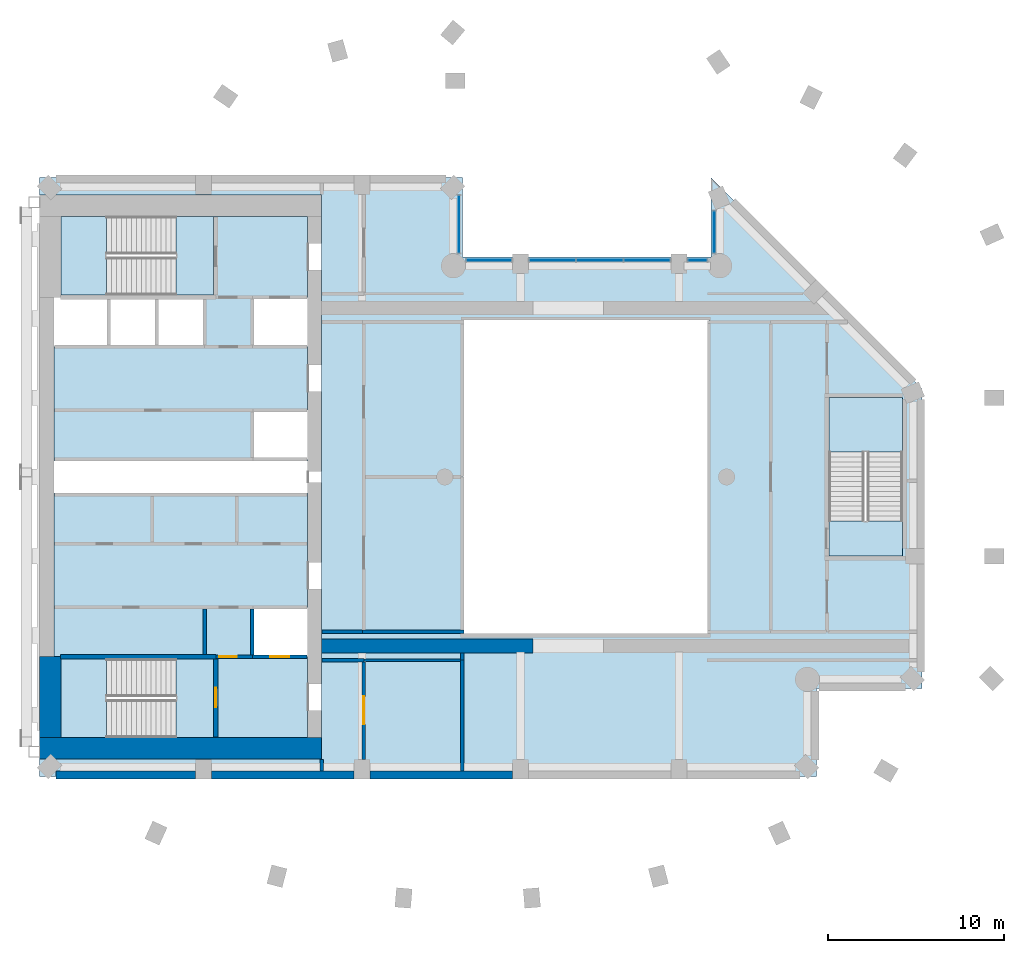
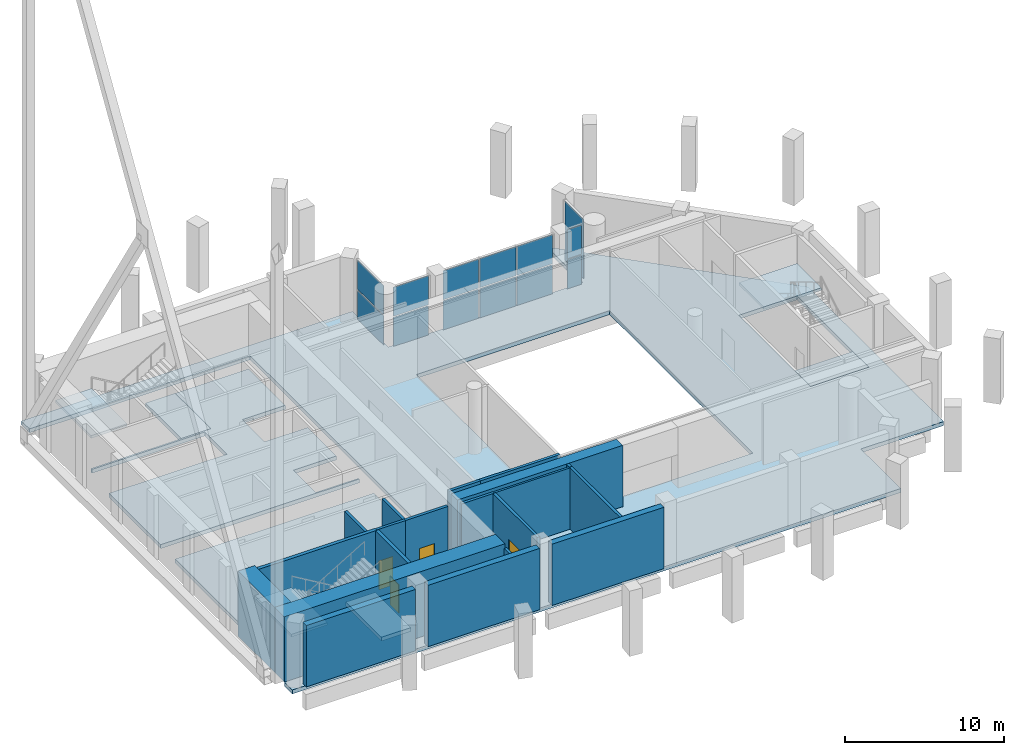
# One storey, part 4 of 12: 20 walls, 14 plates, 9 slabs, 4 doors, 4 openings, 8 elements without a shape of their own.
"""IFC4 building model written with IfcOpenShell, lengths in metres."""

from ifc_helpers import new_model, si_unit, direction, frame, frame_2d, origin, origin_2d, place, context, subcontext, project, spatial, polyline, rectangle, outline, extrude, material, layer, layer_set, type_object, element, fill, aggregate, save


model = new_model("IFC4")

# Units and contexts
model_context = context("Model", 3, precision=1e-05, world=origin(), true_north=direction((0.0, 1.0)))
body_context = subcontext(model_context, "Body", "Model", "MODEL_VIEW")
ifc_project = project(units=[si_unit("LENGTHUNIT", "METRE"), si_unit("AREAUNIT", "SQUARE_METRE"), si_unit("VOLUMEUNIT", "CUBIC_METRE"), si_unit("PLANEANGLEUNIT", "RADIAN"), si_unit("MASSUNIT", "GRAM", prefix="KILO")], contexts=[model_context])

# Site, building, storey
site_placement = place(None, origin())
site = spatial("IfcSite", under=ifc_project, at=site_placement, CompositionType="ELEMENT")
building_placement = place(site_placement, origin())
building = spatial("IfcBuilding", under=site, at=building_placement, Name="Cypress Arch Tower", CompositionType="ELEMENT")
storey_placement = place(building_placement, frame((0.0, 0.0, 238.39990234375)))
storey = spatial("IfcBuildingStorey", under=building, at=storey_placement, Name="L53", CompositionType="ELEMENT", Elevation=238.39990234375)

# Slabs
ifc_material_1 = material(Name="Concrete C40/50", Category="concrete")
ifc_layer_1 = layer(ifc_material_1, 0.300048828125)
ifc_layer_set_1 = layer_set([ifc_layer_1], Name="Core floor CF300")
slab_type_1 = type_object("IfcSlabType", Name="Core floor CF300", PredefinedType="FLOOR", material=ifc_layer_set_1)
slab_1_placement = place(storey_placement, frame((0.0, 0.0, -0.2998046875)))
element("IfcSlab", 1, at=slab_1_placement, inside=storey, type_object=slab_type_1, Name="Core floor", PredefinedType="FLOOR", context=body_context, shape_type="SweptSolid", body=[
    extrude(outline(polyline([(-28.800048828125, -10.199951171875), (-29.199951171875, -10.199951171875), (-29.199951171875, -0.89990234375), (-15.199951171875, -0.89990234375), (-14.800048828125, -0.89990234375), (-14.800048828125, -7.39990234375), (-15.199951171875, -7.39990234375), (-17.919921875, -7.39990234375), (-17.919921875, -10.199951171875), (-15.199951171875, -10.199951171875), (-14.800048828125, -10.199951171875), (-14.800048828125, -14.800048828125), (-15.199951171875, -14.800048828125), (-20.125, -14.800048828125), (-20.125, -10.324951171875), (-22.27490234375, -10.324951171875), (-28.800048828125, -10.324951171875), (-28.800048828125, -10.199951171875)])), origin(), (0.0, 0.0, 1.0), 0.2998046875),
])
slab_2_placement = place(storey_placement, frame((0.0, 0.0, -0.2998046875)))
element("IfcSlab", 2, at=slab_2_placement, inside=storey, type_object=slab_type_1, Name="Core floor", PredefinedType="FLOOR", context=body_context, shape_type="SweptSolid", body=[
    extrude(outline(polyline([(-22.27490234375, -10.324951171875), (-22.27490234375, -14.800048828125), (-20.125, -14.800048828125), (-20.125, -10.324951171875), (-22.27490234375, -10.324951171875)])), origin(), (0.0, 0.0, 1.0), 0.2998046875),
])
slab_3_placement = place(storey_placement, frame((0.0, 0.0, -0.2998046875)))
element("IfcSlab", 3, at=slab_3_placement, inside=storey, type_object=slab_type_1, Name="Core floor", PredefinedType="FLOOR", context=body_context, shape_type="SweptSolid", body=[
    extrude(outline(polyline([(-20.125, 14.800048828125), (-22.27490234375, 14.800048828125), (-22.27490234375, 10.324951171875), (-20.125, 10.324951171875), (-20.125, 14.800048828125)])), origin(), (0.0, 0.0, 1.0), 0.2998046875),
])
slab_4_placement = place(storey_placement, frame((0.0, 0.0, -0.2998046875)))
element("IfcSlab", 4, at=slab_4_placement, inside=storey, type_object=slab_type_1, Name="Stair floor landing", PredefinedType="FLOOR", context=body_context, shape_type="SweptSolid", body=[
    extrude(outline(polyline([(19.0, -4.5), (19.0, -2.5), (14.800048828125, -2.5), (14.800048828125, -4.5), (19.0, -4.5)])), origin(), (0.0, 0.0, 1.0), 0.2998046875),
])
slab_5_placement = place(storey_placement, frame((0.0, 0.0, -0.2998046875)))
element("IfcSlab", 5, at=slab_5_placement, inside=storey, type_object=slab_type_1, Name="Core floor", PredefinedType="FLOOR", context=body_context, shape_type="SweptSolid", body=[
    extrude(outline(polyline([(-20.639892578125, 7.39990234375), (-20.639892578125, 10.199951171875), (-23.360107421875, 10.199951171875), (-26.080078125, 10.199951171875), (-28.800048828125, 10.199951171875), (-28.800048828125, 10.324951171875), (-22.27490234375, 10.324951171875), (-20.125, 10.324951171875), (-20.125, 14.800048828125), (-15.199951171875, 14.800048828125), (-14.800048828125, 14.800048828125), (-14.800048828125, 10.199951171875), (-15.199951171875, 10.199951171875), (-17.919921875, 10.199951171875), (-17.919921875, 7.39990234375), (-15.199951171875, 7.39990234375), (-14.800048828125, 7.39990234375), (-14.800048828125, 3.800048828125), (-15.199951171875, 3.800048828125), (-17.919921875, 3.800048828125), (-17.919921875, 1.5), (-17.919921875, 1.0), (-17.5, 1.0), (-15.199951171875, 1.0), (-14.800048828125, 1.0), (-14.800048828125, 0.89990234375), (-15.199951171875, 0.89990234375), (-17.5, 0.89990234375), (-18.300048828125, 0.89990234375), (-29.199951171875, 0.89990234375), (-29.199951171875, 1.5), (-29.199951171875, 7.39990234375), (-26.080078125, 7.39990234375), (-23.360107421875, 7.39990234375), (-20.639892578125, 7.39990234375)])), origin(), (0.0, 0.0, 1.0), 0.2998046875),
])

# Curtain wall, plates
ifc_material_2 = material(Name="Anodised aluminium, bronze finish, clear laminated double glazing", Category="aluminium")
curtain_wall_type = type_object("IfcCurtainWallType", Name="Curtain wall CW7 slot glazing", PredefinedType="NOTDEFINED", material=ifc_material_2)
curtain_wall_1_placement = place(storey_placement, origin())
curtain_wall_1 = element("IfcCurtainWall", 6, at=curtain_wall_1_placement, inside=storey, type_object=curtain_wall_type, Name="Curtain wall L53 slot B06.0", PredefinedType="NOTDEFINED")
ifc_material_3 = material(Name="Clear laminated double glazing", Category="glass")
ifc_layer_2 = layer(ifc_material_3, 0.0439453125)
ifc_layer_set_2 = layer_set([ifc_layer_2], Name="Glass panel CW7 44")
plate_type = type_object("IfcPlateType", Name="Glass panel CW7 44", PredefinedType="CURTAIN_PANEL", material=ifc_layer_set_2)
plate_1_placement = place(storey_placement, frame((8.300048828125, 13.912353515625, 0.0849609375), z_axis=(0.0, 0.0, 1.0), x_axis=(0.0, -1.0, 0.0)))
plate_1 = element("IfcPlate", 7, at=plate_1_placement, type_object=plate_type, Name="CW7 panel 1.1", PredefinedType="CURTAIN_PANEL", context=body_context, shape_type="SweptSolid", body=[
    extrude(rectangle(XDim=2.345458984375, YDim=0.0439453125, at=origin_2d()), origin(), (0.0, 0.0, 1.0), 2.222412109375),
])
plate_2_placement = place(storey_placement, frame((8.300048828125, 13.912353515625, 2.392578125), z_axis=(0.0, 0.0, 1.0), x_axis=(0.0, -1.0, 0.0)))
plate_2 = element("IfcPlate", 8, at=plate_2_placement, type_object=plate_type, Name="CW7 panel 1.2", PredefinedType="CURTAIN_PANEL", context=body_context, shape_type="SweptSolid", body=[
    extrude(rectangle(XDim=2.345458984375, YDim=0.0439453125, at=origin_2d()), origin(), (0.0, 0.0, 1.0), 2.222412109375),
])
aggregate(curtain_wall_1, [plate_1, plate_2])

curtain_wall_2_placement = place(storey_placement, origin())
curtain_wall_2 = element("IfcCurtainWall", 9, at=curtain_wall_2_placement, inside=storey, type_object=curtain_wall_type, Name="Curtain wall L53 slot B07.0", PredefinedType="NOTDEFINED")
plate_3_placement = place(storey_placement, frame((7.34765625, 12.300048828125, 0.0849609375), z_axis=(0.0, 0.0, 1.0), x_axis=(-1.0, 0.0, 0.0)))
plate_3 = element("IfcPlate", 10, at=plate_3_placement, type_object=plate_type, Name="CW7 panel 1.1", PredefinedType="CURTAIN_PANEL", context=body_context, shape_type="SweptSolid", body=[
    extrude(rectangle(XDim=1.025390625, YDim=0.0439453125, at=origin_2d()), origin(), (0.0, 0.0, 1.0), 2.222412109375),
])
plate_4_placement = place(storey_placement, frame((7.34765625, 12.300048828125, 2.392578125), z_axis=(0.0, 0.0, 1.0), x_axis=(-1.0, 0.0, 0.0)))
plate_4 = element("IfcPlate", 11, at=plate_4_placement, type_object=plate_type, Name="CW7 panel 1.2", PredefinedType="CURTAIN_PANEL", context=body_context, shape_type="SweptSolid", body=[
    extrude(rectangle(XDim=1.025390625, YDim=0.0439453125, at=origin_2d()), origin(), (0.0, 0.0, 1.0), 2.222412109375),
])
aggregate(curtain_wall_2, [plate_3, plate_4])

curtain_wall_3_placement = place(storey_placement, origin())
curtain_wall_3 = element("IfcCurtainWall", 12, at=curtain_wall_3_placement, inside=storey, type_object=curtain_wall_type, Name="Curtain wall L53 slot B07.1", PredefinedType="NOTDEFINED")
plate_5_placement = place(storey_placement, frame((4.478759765625, 12.300048828125, 0.0849609375), z_axis=(0.0, 0.0, 1.0), x_axis=(-1.0, 0.0, 0.0)))
plate_5 = element("IfcPlate", 13, at=plate_5_placement, type_object=plate_type, Name="CW7 panel 1.1", PredefinedType="CURTAIN_PANEL", context=body_context, shape_type="SweptSolid", body=[
    extrude(rectangle(XDim=2.572509765625, YDim=0.0439453125, at=origin_2d()), origin(), (0.0, 0.0, 1.0), 2.222412109375),
])
plate_6_placement = place(storey_placement, frame((4.478759765625, 12.300048828125, 2.392578125), z_axis=(0.0, 0.0, 1.0), x_axis=(-1.0, 0.0, 0.0)))
plate_6 = element("IfcPlate", 14, at=plate_6_placement, type_object=plate_type, Name="CW7 panel 1.2", PredefinedType="CURTAIN_PANEL", context=body_context, shape_type="SweptSolid", body=[
    extrude(rectangle(XDim=2.572509765625, YDim=0.0439453125, at=origin_2d()), origin(), (0.0, 0.0, 1.0), 2.222412109375),
])
plate_7_placement = place(storey_placement, frame((1.800048828125, 12.300048828125, 0.0849609375), z_axis=(0.0, 0.0, 1.0), x_axis=(-1.0, 0.0, 0.0)))
plate_7 = element("IfcPlate", 15, at=plate_7_placement, type_object=plate_type, Name="CW7 panel 2.1", PredefinedType="CURTAIN_PANEL", context=body_context, shape_type="SweptSolid", body=[
    extrude(rectangle(XDim=2.614990234375, YDim=0.0439453125, at=origin_2d()), origin(), (0.0, 0.0, 1.0), 2.222412109375),
])
plate_8_placement = place(storey_placement, frame((1.800048828125, 12.300048828125, 2.392578125), z_axis=(0.0, 0.0, 1.0), x_axis=(-1.0, 0.0, 0.0)))
plate_8 = element("IfcPlate", 16, at=plate_8_placement, type_object=plate_type, Name="CW7 panel 2.2", PredefinedType="CURTAIN_PANEL", context=body_context, shape_type="SweptSolid", body=[
    extrude(rectangle(XDim=2.614990234375, YDim=0.0439453125, at=origin_2d()), origin(), (0.0, 0.0, 1.0), 2.222412109375),
])
plate_9_placement = place(storey_placement, frame((-0.878662109375, 12.300048828125, 0.0849609375), z_axis=(0.0, 0.0, 1.0), x_axis=(-1.0, 0.0, 0.0)))
plate_9 = element("IfcPlate", 17, at=plate_9_placement, type_object=plate_type, Name="CW7 panel 3.1", PredefinedType="CURTAIN_PANEL", context=body_context, shape_type="SweptSolid", body=[
    extrude(rectangle(XDim=2.572509765625, YDim=0.0439453125, at=origin_2d()), origin(), (0.0, 0.0, 1.0), 2.222412109375),
])
plate_10_placement = place(storey_placement, frame((-0.878662109375, 12.300048828125, 2.392578125), z_axis=(0.0, 0.0, 1.0), x_axis=(-1.0, 0.0, 0.0)))
plate_10 = element("IfcPlate", 18, at=plate_10_placement, type_object=plate_type, Name="CW7 panel 3.2", PredefinedType="CURTAIN_PANEL", context=body_context, shape_type="SweptSolid", body=[
    extrude(rectangle(XDim=2.572509765625, YDim=0.0439453125, at=origin_2d()), origin(), (0.0, 0.0, 1.0), 2.222412109375),
])
aggregate(curtain_wall_3, [plate_5, plate_6, plate_7, plate_8, plate_9, plate_10])

curtain_wall_4_placement = place(storey_placement, origin())
curtain_wall_4 = element("IfcCurtainWall", 19, at=curtain_wall_4_placement, inside=storey, type_object=curtain_wall_type, Name="Curtain wall L53 slot B07.2", PredefinedType="NOTDEFINED")
plate_11_placement = place(storey_placement, frame((-4.497802734375, 12.300048828125, 0.0849609375), z_axis=(0.0, 0.0, 1.0), x_axis=(-1.0, 0.0, 0.0)))
plate_11 = element("IfcPlate", 20, at=plate_11_placement, type_object=plate_type, Name="CW7 panel 1.1", PredefinedType="CURTAIN_PANEL", context=body_context, shape_type="SweptSolid", body=[
    extrude(rectangle(XDim=2.525390625, YDim=0.0439453125, at=origin_2d()), origin(), (0.0, 0.0, 1.0), 2.222412109375),
])
plate_12_placement = place(storey_placement, frame((-4.497802734375, 12.300048828125, 2.392578125), z_axis=(0.0, 0.0, 1.0), x_axis=(-1.0, 0.0, 0.0)))
plate_12 = element("IfcPlate", 21, at=plate_12_placement, type_object=plate_type, Name="CW7 panel 1.2", PredefinedType="CURTAIN_PANEL", context=body_context, shape_type="SweptSolid", body=[
    extrude(rectangle(XDim=2.525390625, YDim=0.0439453125, at=origin_2d()), origin(), (0.0, 0.0, 1.0), 2.222412109375),
])
aggregate(curtain_wall_4, [plate_11, plate_12])

curtain_wall_5_placement = place(storey_placement, origin())
curtain_wall_5 = element("IfcCurtainWall", 22, at=curtain_wall_5_placement, inside=storey, type_object=curtain_wall_type, Name="Curtain wall L53 slot B08.0", PredefinedType="NOTDEFINED")
plate_13_placement = place(storey_placement, frame((-6.199951171875, 14.359130859375, 0.0849609375), z_axis=(0.0, 0.0, 1.0), x_axis=(0.0, 1.0, 0.0)))
plate_13 = element("IfcPlate", 23, at=plate_13_placement, type_object=plate_type, Name="CW7 panel 1.1", PredefinedType="CURTAIN_PANEL", context=body_context, shape_type="SweptSolid", body=[
    extrude(rectangle(XDim=3.239013671875, YDim=0.0439453125, at=origin_2d()), origin(), (0.0, 0.0, 1.0), 2.222412109375),
])
plate_14_placement = place(storey_placement, frame((-6.199951171875, 14.359130859375, 2.392578125), z_axis=(0.0, 0.0, 1.0), x_axis=(0.0, 1.0, 0.0)))
plate_14 = element("IfcPlate", 24, at=plate_14_placement, type_object=plate_type, Name="CW7 panel 1.2", PredefinedType="CURTAIN_PANEL", context=body_context, shape_type="SweptSolid", body=[
    extrude(rectangle(XDim=3.239013671875, YDim=0.0439453125, at=origin_2d()), origin(), (0.0, 0.0, 1.0), 2.222412109375),
])
aggregate(curtain_wall_5, [plate_13, plate_14])

# Slab
ifc_material_4 = material(Name="Concrete C40/50", Category="concrete")
ifc_layer_3 = layer(ifc_material_4, 0.300048828125)
ifc_layer_set_3 = layer_set([ifc_layer_3], Name="PT flat slab 300 Concrete C40/50")
slab_type_2 = type_object("IfcSlabType", Name="PT flat slab 300 Concrete C40/50", PredefinedType="FLOOR", material=ifc_layer_set_3)
slab_6_placement = place(storey_placement, frame((0.0, 0.0, -0.2998046875)))
element("IfcSlab", 25, at=slab_6_placement, inside=storey, type_object=slab_type_2, Name="Floor slab L53", PredefinedType="FLOOR", context=body_context, shape_type="SweptSolid", body=[
    extrude(outline(polyline([(-30.0, 17.0), (-6.0, 17.0), (-6.0, 12.5), (8.10009765625, 12.5), (8.10009765625, 17.0), (20.10009765625, 5.0), (20.10009765625, -12.0), (14.10009765625, -12.0), (14.10009765625, -17.0), (-30.0, -17.0), (-30.0, -16.0), (-14.0, -16.0), (-14.0, 16.0), (-30.0, 16.0), (-30.0, 17.0)]), holes=[polyline([(-6.0, -9.0), (8.0, -9.0), (8.0, 9.0), (-6.0, 9.0), (-6.0, -9.0)]), polyline([(14.800048828125, -4.5), (19.0, -4.5), (19.0, 4.5), (14.800048828125, 4.5), (14.800048828125, -4.5)])]), origin(), (0.0, 0.0, 1.0), 0.2998046875),
])

# Stair, slab
ifc_material_5 = material(Name="Concrete C40/50", Category="concrete")
stair_type_1 = type_object("IfcStairType", Name="Exit stair ES1667-215", PredefinedType="HALF_TURN_STAIR", material=ifc_material_5)
stair_1_placement = place(storey_placement, origin())
stair_1 = element("IfcStair", 26, at=stair_1_placement, inside=storey, type_object=stair_type_1, Name="L53 Exit stair A", PredefinedType="HALF_TURN_STAIR")
ifc_material_6 = material(Name="Concrete C40/50", Category="concrete")
ifc_layer_4 = layer(ifc_material_6, 0.199951171875)
ifc_layer_set_4 = layer_set([ifc_layer_4], Name="Stair landing SL200")
slab_type_3 = type_object("IfcSlabType", Name="Stair landing SL200", PredefinedType="LANDING", material=ifc_layer_set_4)
slab_7_placement = place(storey_placement, frame((0.0, 0.0, 2.300048828125)))
slab_7 = element("IfcSlab", 27, at=slab_7_placement, type_object=slab_type_3, Name="A landing 1", PredefinedType="LANDING", context=body_context, shape_type="SweptSolid", body=[
    extrude(outline(polyline([(-26.195068359375, -10.324951171875), (-28.800048828125, -10.324951171875), (-28.800048828125, -14.800048828125), (-26.195068359375, -14.800048828125), (-26.195068359375, -10.324951171875)])), origin(), (0.0, 0.0, 1.0), 0.199951171875),
])
aggregate(stair_1, [slab_7])

stair_2_placement = place(storey_placement, origin())
stair_2 = element("IfcStair", 28, at=stair_2_placement, inside=storey, type_object=stair_type_1, Name="L53 Exit stair B", PredefinedType="HALF_TURN_STAIR")
slab_8_placement = place(storey_placement, frame((0.0, 0.0, 2.300048828125)))
slab_8 = element("IfcSlab", 29, at=slab_8_placement, type_object=slab_type_3, Name="B landing 1", PredefinedType="LANDING", context=body_context, shape_type="SweptSolid", body=[
    extrude(outline(polyline([(-26.195068359375, 14.800048828125), (-28.800048828125, 14.800048828125), (-28.800048828125, 10.324951171875), (-26.195068359375, 10.324951171875), (-26.195068359375, 14.800048828125)])), origin(), (0.0, 0.0, 1.0), 0.199951171875),
])
aggregate(stair_2, [slab_8])

ifc_material_7 = material(Name="Concrete C40/50", Category="concrete")
stair_type_2 = type_object("IfcStairType", Name="Exit stair ES1667-200", PredefinedType="HALF_TURN_STAIR", material=ifc_material_7)
stair_3_placement = place(storey_placement, origin())
stair_3 = element("IfcStair", 30, at=stair_3_placement, inside=storey, type_object=stair_type_2, Name="L53 Exit stair C", PredefinedType="HALF_TURN_STAIR")
slab_9_placement = place(storey_placement, frame((0.0, 0.0, 2.300048828125)))
slab_9 = element("IfcSlab", 31, at=slab_9_placement, type_object=slab_type_3, Name="C landing 1", PredefinedType="LANDING", context=body_context, shape_type="SweptSolid", body=[
    extrude(outline(polyline([(19.0, 1.419921875), (19.0, 4.5), (14.800048828125, 4.5), (14.800048828125, 1.419921875), (19.0, 1.419921875)])), origin(), (0.0, 0.0, 1.0), 0.199951171875),
])
aggregate(stair_3, [slab_9])

# Walls
ifc_material_8 = material(Name="Brick (red buff blend)", Category="masonry")
ifc_layer_5 = layer(ifc_material_8, 0.449951171875)
ifc_layer_set_5 = layer_set([ifc_layer_5], Name="Brick belt wall BW450-B")
wall_type_1 = type_object("IfcWallType", Name="Brick belt wall BW450-B", PredefinedType="SOLIDWALL", material=ifc_layer_set_5)
wall_1_placement = place(storey_placement, frame((-29.063720703125, -16.925048828125, 0.0), z_axis=(0.0, 0.0, 1.0), x_axis=(1.0, 0.0, 0.0)))
element("IfcWall", 32, at=wall_1_placement, inside=storey, type_object=wall_type_1, Name="Brick wall L53 B01.0", PredefinedType="SOLIDWALL", context=body_context, shape_type="SweptSolid", body=[
    extrude(rectangle(XDim=7.913818359375, YDim=0.449951171875, at=frame_2d((3.95703125, 0.0))), origin(), (0.0, 0.0, 1.0), 4.7001953125),
])
for number, where, z_axis, x_axis, name in (
    (33, (-20.25, -16.925048828125, 0.0), (0.0, 0.0, 1.0), (1.0, 0.0, 0.0), "Brick wall L53 B01.1"),
    (34, (-11.25, -16.925048828125, 0.0), (0.0, 0.0, 1.0), (1.0, 0.0, 0.0), "Brick wall L53 B01.2"),
):
    element("IfcWall", number, at=place(storey_placement, frame(where, z_axis=z_axis, x_axis=x_axis)), inside=storey, type_object=wall_type_1, Name=name, PredefinedType="SOLIDWALL", context=body_context, shape_type="SweptSolid", body=[
        extrude(rectangle(XDim=8.10009765625, YDim=0.449951171875, at=frame_2d((4.050048828125, 0.0))), origin(), (0.0, 0.0, 1.0), 4.7001953125),
    ])
ifc_material_9 = material(Name="Concrete C70/85", Category="concrete")
ifc_layer_6 = layer(ifc_material_9, 1.199951171875)
ifc_layer_set_6 = layer_set([ifc_layer_6], Name="Core wall CW1200 C70/85")
wall_type_2 = type_object("IfcWallType", Name="Core wall CW1200 C70/85", PredefinedType="SHEAR", material=ifc_layer_set_6)
wall_2_placement = place(storey_placement, frame((-30.0, -15.39990234375, 0.0), z_axis=(0.0, 0.0, 1.0), x_axis=(1.0, 0.0, 0.0)))
element("IfcWall", 35, at=wall_2_placement, inside=storey, type_object=wall_type_2, Name="Core wall", PredefinedType="SHEAR", context=body_context, shape_type="SweptSolid", body=[
    extrude(rectangle(XDim=16.0, YDim=1.199951171875, at=frame_2d((8.0, 0.0))), origin(), (0.0, 0.0, 1.0), 5.0),
])
wall_3_placement = place(storey_placement, frame((-29.39990234375, -14.800048828125, 0.0), z_axis=(0.0, 0.0, 1.0), x_axis=(0.0, 1.0, 0.0)))
element("IfcWall", 36, at=wall_3_placement, inside=storey, type_object=wall_type_2, Name="Core wall", PredefinedType="SHEAR", context=body_context, shape_type="SweptSolid", body=[
    extrude(rectangle(XDim=4.60009765625, YDim=1.199951171875, at=frame_2d((2.300048828125, 0.0))), origin(), (0.0, 0.0, 1.0), 5.0),
])
ifc_material_10 = material(Name="Concrete blockwork, plastered, rated", Category="masonry")
ifc_layer_7 = layer(ifc_material_10, 0.199951171875)
ifc_layer_set_7 = layer_set([ifc_layer_7], Name="Corridor wall FW200")
wall_type_3 = type_object("IfcWallType", Name="Corridor wall FW200", PredefinedType="PARTITIONING", material=ifc_layer_set_7)
wall_4_placement = place(storey_placement, frame((-20.639892578125, -10.074951171875, 0.0), z_axis=(0.0, 0.0, 1.0), x_axis=(0.0, 1.0, 0.0)))
element("IfcWall", 37, at=wall_4_placement, inside=storey, type_object=wall_type_3, Name="Corridor wall", PredefinedType="PARTITIONING", context=body_context, shape_type="SweptSolid", body=[
    extrude(rectangle(XDim=2.574951171875, YDim=0.199951171875, at=frame_2d((1.28759765625, 0.0))), origin(), (0.0, 0.0, 1.0), 4.7001953125),
])

# Wall, opening, door
wall_5_placement = place(storey_placement, frame((-20.0, -10.199951171875, 0.0), z_axis=(0.0, 0.0, 1.0), x_axis=(1.0, 0.0, 0.0)))
wall_5 = element("IfcWall", 38, at=wall_5_placement, inside=storey, type_object=wall_type_3, Name="Corridor wall", PredefinedType="PARTITIONING", context=body_context, shape_type="SweptSolid", body=[
    extrude(rectangle(XDim=2.080078125, YDim=0.199951171875, at=frame_2d((1.0400390625, 0.0))), origin(), (0.0, 0.0, 1.0), 4.7001953125),
])
opening_1_placement = place(wall_5_placement, frame((0.199951171875, 0.0, 0.0)))
opening_1 = element("IfcOpeningElement", 39, at=opening_1_placement, cuts=wall_5, Name="Opening D16", PredefinedType="OPENING", context=body_context, shape_type="SweptSolid", body=[
    extrude(rectangle(XDim=1.0, YDim=2.199951171875, at=frame_2d((0.5, 1.10009765625))), frame((0.0, 0.10986328125, 0.0), z_axis=(0.0, -1.0, 0.0), x_axis=(1.0, 0.0, 0.0)), (0.0, 0.0, 1.0), 0.219970703125),
])
ifc_material_11 = material(Name="Timber flush door", Category="wood")
door_type_1 = type_object("IfcDoorType", Name="Service door D16 1000x2200", OperationType="SINGLE_SWING_LEFT", PredefinedType="DOOR", material=ifc_material_11)
door_1_placement = place(opening_1_placement, origin())
door_1 = element("IfcDoor", 40, at=door_1_placement, inside=storey, type_object=door_type_1, Name="Service door", OperationType="SINGLE_SWING_RIGHT", OverallHeight=2.199951171875, OverallWidth=1.0, PredefinedType="DOOR", context=body_context, shape_type="SweptSolid", body=[
    extrude(rectangle(XDim=1.0, YDim=2.199951171875, at=frame_2d((0.5, 1.10009765625))), frame((0.0, 0.02490234375, 0.0), z_axis=(0.0, -1.0, 0.0), x_axis=(1.0, 0.0, 0.0)), (0.0, 0.0, 1.0), 0.050048828125),
])
fill(opening_1, door_1)

# Walls
wall_6_placement = place(storey_placement, frame((-13.969970703125, -10.39990234375, 0.0), z_axis=(0.0, 0.0, 1.0), x_axis=(1.0, 0.0, 0.0)))
element("IfcWall", 41, at=wall_6_placement, inside=storey, type_object=wall_type_3, Name="Corridor wall", PredefinedType="PARTITIONING", context=body_context, shape_type="SweptSolid", body=[
    extrude(rectangle(XDim=2.369873046875, YDim=0.199951171875, at=frame_2d((1.18505859375, 0.0))), origin(), (0.0, 0.0, 1.0), 4.7001953125),
])
wall_7_placement = place(storey_placement, frame((-13.969970703125, -8.800048828125, 0.0), z_axis=(0.0, 0.0, 1.0), x_axis=(1.0, 0.0, 0.0)))
element("IfcWall", 42, at=wall_7_placement, inside=storey, type_object=wall_type_3, Name="Corridor wall", PredefinedType="PARTITIONING", context=body_context, shape_type="SweptSolid", body=[
    extrude(rectangle(XDim=2.2900390625, YDim=0.199951171875, at=frame_2d((1.14501953125, 0.0))), origin(), (0.0, 0.0, 1.0), 4.7001953125),
])

# Wall, opening, door
wall_8_placement = place(storey_placement, frame((-11.60009765625, -16.050048828125, 0.0), z_axis=(0.0, 0.0, 1.0), x_axis=(0.0, 1.0, 0.0)))
wall_8 = element("IfcWall", 43, at=wall_8_placement, inside=storey, type_object=wall_type_3, Name="Corridor wall", PredefinedType="PARTITIONING", context=body_context, shape_type="SweptSolid", body=[
    extrude(rectangle(XDim=5.550048828125, YDim=0.199951171875, at=frame_2d((2.77490234375, 0.0))), origin(), (0.0, 0.0, 1.0), 4.7001953125),
])
opening_2_placement = place(wall_8_placement, frame((2.0, 0.0, 0.0)))
opening_2 = element("IfcOpeningElement", 44, at=opening_2_placement, cuts=wall_8, Name="Opening D10", PredefinedType="OPENING", context=body_context, shape_type="SweptSolid", body=[
    extrude(rectangle(XDim=1.60009765625, YDim=2.39990234375, at=frame_2d((0.800048828125, 1.199951171875))), frame((0.0, 0.10986328125, 0.0), z_axis=(0.0, -1.0, 0.0), x_axis=(1.0, 0.0, 0.0)), (0.0, 0.0, 1.0), 0.219970703125),
])
ifc_material_12 = material(Name="Black aluminium glazed door", Category="aluminium")
door_type_2 = type_object("IfcDoorType", Name="Amenity door D10 1600x2400", OperationType="DOUBLE_DOOR_SINGLE_SWING", PredefinedType="DOOR", material=ifc_material_12)
door_2_placement = place(opening_2_placement, origin())
door_2 = element("IfcDoor", 45, at=door_2_placement, inside=storey, type_object=door_type_2, Name="Amenity door", OperationType="DOUBLE_DOOR_SINGLE_SWING", OverallHeight=2.39990234375, OverallWidth=1.60009765625, PredefinedType="DOOR", context=body_context, shape_type="SweptSolid", body=[
    extrude(rectangle(XDim=1.60009765625, YDim=2.39990234375, at=frame_2d((0.800048828125, 1.199951171875))), frame((0.0, 0.02490234375, 0.0), z_axis=(0.0, -1.0, 0.0), x_axis=(1.0, 0.0, 0.0)), (0.0, 0.0, 1.0), 0.050048828125),
])
fill(opening_2, door_2)

# Walls
ifc_material_13 = material(Name="Concrete C80/95", Category="concrete")
ifc_layer_8 = layer(ifc_material_13, 0.800048828125)
ifc_layer_set_8 = layer_set([ifc_layer_8], Name="Outrigger wall 800 Concrete C80/95")
wall_type_4 = type_object("IfcWallType", Name="Outrigger wall 800 Concrete C80/95", PredefinedType="SOLIDWALL", material=ifc_layer_set_8)
wall_9_placement = place(storey_placement, frame((-14.0, -9.60009765625, 0.0), z_axis=(0.0, 0.0, 1.0), x_axis=(1.0, 0.0, 0.0)))
element("IfcWall", 46, at=wall_9_placement, inside=storey, type_object=wall_type_4, Name="Outrigger wall L53 SW", PredefinedType="SOLIDWALL", context=body_context, shape_type="SweptSolid", body=[
    extrude(rectangle(XDim=12.0, YDim=0.800048828125, at=frame_2d((6.0, 0.0))), origin(), (0.0, 0.0, 1.0), 4.7001953125),
])
ifc_material_14 = material(Name="Blockwork, plastered both sides", Category="masonry")
ifc_layer_9 = layer(ifc_material_14, 0.14990234375)
ifc_layer_set_9 = layer_set([ifc_layer_9], Name="Partition PW150")
wall_type_5 = type_object("IfcWallType", Name="Partition PW150", PredefinedType="PARTITIONING", material=ifc_layer_set_9)
wall_10_placement = place(storey_placement, frame((-11.580078125, -10.39990234375, 0.0), z_axis=(0.0, 0.0, 1.0), x_axis=(1.0, 0.0, 0.0)))
element("IfcWall", 47, at=wall_10_placement, inside=storey, type_object=wall_type_5, Name="Partition", PredefinedType="PARTITIONING", context=body_context, shape_type="SweptSolid", body=[
    extrude(rectangle(XDim=5.4599609375, YDim=0.14990234375, at=frame_2d((2.72998046875, 0.0))), origin(), (0.0, 0.0, 1.0), 4.7001953125),
])
ifc_material_15 = material(Name="Reinforced blockwork, plastered, rated", Category="masonry")
ifc_layer_10 = layer(ifc_material_15, 0.199951171875)
ifc_layer_set_10 = layer_set([ifc_layer_10], Name="Plant and riser wall PL200")
wall_type_6 = type_object("IfcWallType", Name="Plant and riser wall PL200", PredefinedType="PARTITIONING", material=ifc_layer_set_10)
wall_11_placement = place(storey_placement, frame((-14.0, -16.699951171875, 0.0), z_axis=(0.0, 0.0, 1.0), x_axis=(0.0, 1.0, 0.0)))
element("IfcWall", 48, at=wall_11_placement, inside=storey, type_object=wall_type_6, Name="Plant and riser wall", PredefinedType="PARTITIONING", context=body_context, shape_type="SweptSolid", body=[
    extrude(rectangle(XDim=0.669921875, YDim=0.199951171875, at=frame_2d((0.3349609375, 0.0))), origin(), (0.0, 0.0, 1.0), 4.7001953125),
])
wall_12_placement = place(storey_placement, frame((-11.679931640625, -8.800048828125, 0.0), z_axis=(0.0, 0.0, 1.0), x_axis=(1.0, 0.0, 0.0)))
element("IfcWall", 49, at=wall_12_placement, inside=storey, type_object=wall_type_6, Name="Plant and riser wall", PredefinedType="PARTITIONING", context=body_context, shape_type="SweptSolid", body=[
    extrude(rectangle(XDim=5.780029296875, YDim=0.199951171875, at=frame_2d((2.89013671875, 0.0))), origin(), (0.0, 0.0, 1.0), 4.7001953125),
])
wall_13_placement = place(storey_placement, frame((-6.0, -16.699951171875, 0.0), z_axis=(0.0, 0.0, 1.0), x_axis=(0.0, 1.0, 0.0)))
element("IfcWall", 50, at=wall_13_placement, inside=storey, type_object=wall_type_6, Name="Plant and riser wall", PredefinedType="PARTITIONING", context=body_context, shape_type="SweptSolid", body=[
    extrude(rectangle(XDim=6.300048828125, YDim=0.199951171875, at=frame_2d((3.14990234375, 0.0))), origin(), (0.0, 0.0, 1.0), 4.7001953125),
])
wall_14_placement = place(storey_placement, frame((-6.0, -10.3798828125, 0.0), z_axis=(0.0, 0.0, 1.0), x_axis=(0.0, 1.0, 0.0)))
element("IfcWall", 51, at=wall_14_placement, inside=storey, type_object=wall_type_6, Name="Plant and riser wall", PredefinedType="PARTITIONING", context=body_context, shape_type="SweptSolid", body=[
    extrude(rectangle(XDim=0.3798828125, YDim=0.199951171875, at=frame_2d((0.18994140625, 0.0))), origin(), (0.0, 0.0, 1.0), 4.7001953125),
])
ifc_material_16 = material(Name="Concrete C50/60", Category="concrete")
ifc_layer_11 = layer(ifc_material_16, 0.199951171875)
ifc_layer_set_11 = layer_set([ifc_layer_11], Name="Shaft wall SH200")
wall_type_7 = type_object("IfcWallType", Name="Shaft wall SH200", PredefinedType="SHEAR", material=ifc_layer_set_11)
wall_15_placement = place(storey_placement, frame((-17.919921875, -10.10009765625, 0.0), z_axis=(0.0, 0.0, 1.0), x_axis=(0.0, 1.0, 0.0)))
element("IfcWall", 52, at=wall_15_placement, inside=storey, type_object=wall_type_7, Name="Shaft wall", PredefinedType="SHEAR", context=body_context, shape_type="SweptSolid", body=[
    extrude(rectangle(XDim=2.60009765625, YDim=0.199951171875, at=frame_2d((1.300048828125, 0.0))), origin(), (0.0, 0.0, 1.0), 4.7001953125),
])

# Wall, opening, door
wall_16_placement = place(storey_placement, frame((-17.919921875, -10.199951171875, 0.0), z_axis=(0.0, 0.0, 1.0), x_axis=(1.0, 0.0, 0.0)))
wall_16 = element("IfcWall", 53, at=wall_16_placement, inside=storey, type_object=wall_type_7, Name="Shaft wall", PredefinedType="SHEAR", context=body_context, shape_type="SweptSolid", body=[
    extrude(rectangle(XDim=3.08984375, YDim=0.199951171875, at=frame_2d((1.544921875, 0.0))), origin(), (0.0, 0.0, 1.0), 4.7001953125),
])
opening_3_placement = place(wall_16_placement, frame((1.0, 0.0, 0.0)))
opening_3 = element("IfcOpeningElement", 54, at=opening_3_placement, cuts=wall_16, Name="Opening LD-FL1", PredefinedType="OPENING", context=body_context, shape_type="SweptSolid", body=[
    extrude(rectangle(XDim=1.10009765625, YDim=2.199951171875, at=frame_2d((0.550048828125, 1.10009765625))), frame((0.0, 0.10986328125, 0.0), z_axis=(0.0, -1.0, 0.0), x_axis=(1.0, 0.0, 0.0)), (0.0, 0.0, 1.0), 0.219970703125),
])
ifc_material_17 = material(Name="Stainless steel centre-opening landing door, rated", Category="steel")
door_type_3 = type_object("IfcDoorType", Name="Lift landing door LD 1100x2200", OperationType="DOUBLE_DOOR_SLIDING", PredefinedType="DOOR", material=ifc_material_17)
door_3_placement = place(opening_3_placement, origin())
door_3 = element("IfcDoor", 55, at=door_3_placement, inside=storey, type_object=door_type_3, Name="Lift landing doors FL1", OperationType="DOUBLE_DOOR_SLIDING", OverallHeight=2.199951171875, OverallWidth=1.10009765625, PredefinedType="DOOR", context=body_context, shape_type="SweptSolid", body=[
    extrude(rectangle(XDim=1.10009765625, YDim=2.199951171875, at=frame_2d((0.550048828125, 1.10009765625))), frame((0.0, 0.02490234375, 0.0), z_axis=(0.0, -1.0, 0.0), x_axis=(1.0, 0.0, 0.0)), (0.0, 0.0, 1.0), 0.050048828125),
])
fill(opening_3, door_3)

# Wall
ifc_material_18 = material(Name="Concrete C50/60", Category="concrete")
ifc_layer_12 = layer(ifc_material_18, 0.25)
ifc_layer_set_12 = layer_set([ifc_layer_12], Name="Stair enclosure wall SW250")
wall_type_8 = type_object("IfcWallType", Name="Stair enclosure wall SW250", PredefinedType="SHEAR", material=ifc_layer_set_12)
wall_17_placement = place(storey_placement, frame((-28.81005859375, -10.199951171875, 0.0), z_axis=(0.0, 0.0, 1.0), x_axis=(1.0, 0.0, 0.0)))
element("IfcWall", 56, at=wall_17_placement, inside=storey, type_object=wall_type_8, Name="Stair enclosure wall", PredefinedType="SHEAR", context=body_context, shape_type="SweptSolid", body=[
    extrude(rectangle(XDim=8.81005859375, YDim=0.25, at=frame_2d((4.405029296875, 0.0))), origin(), (0.0, 0.0, 1.0), 4.7001953125),
])

# Wall, opening, door
wall_18_placement = place(storey_placement, frame((-20.0, -14.77001953125, 0.0), z_axis=(0.0, 0.0, 1.0), x_axis=(0.0, 1.0, 0.0)))
wall_18 = element("IfcWall", 57, at=wall_18_placement, inside=storey, type_object=wall_type_8, Name="Stair enclosure wall", PredefinedType="SHEAR", context=body_context, shape_type="SweptSolid", body=[
    extrude(rectangle(XDim=4.445068359375, YDim=0.25, at=frame_2d((2.22265625, 0.0))), origin(), (0.0, 0.0, 1.0), 4.7001953125),
])
opening_4_placement = place(wall_18_placement, frame((1.699951171875, 0.0, 0.0)))
opening_4 = element("IfcOpeningElement", 58, at=opening_4_placement, cuts=wall_18, Name="Opening D06", PredefinedType="OPENING", context=body_context, shape_type="SweptSolid", body=[
    extrude(rectangle(XDim=1.10009765625, YDim=2.199951171875, at=frame_2d((0.550048828125, 1.10009765625))), frame((0.0, 0.135009765625, 0.0), z_axis=(0.0, -1.0, 0.0), x_axis=(1.0, 0.0, 0.0)), (0.0, 0.0, 1.0), 0.27001953125),
])
ifc_material_19 = material(Name="Steel door, fire resisting, panic bar", Category="steel")
door_type_4 = type_object("IfcDoorType", Name="Stair door D06 1100x2200", OperationType="SINGLE_SWING_LEFT", PredefinedType="DOOR", material=ifc_material_19)
door_4_placement = place(opening_4_placement, origin())
door_4 = element("IfcDoor", 59, at=door_4_placement, inside=storey, type_object=door_type_4, Name="Stair door", OperationType="SINGLE_SWING_RIGHT", OverallHeight=2.199951171875, OverallWidth=1.10009765625, PredefinedType="DOOR", context=body_context, shape_type="SweptSolid", body=[
    extrude(rectangle(XDim=1.10009765625, YDim=2.199951171875, at=frame_2d((0.550048828125, 1.10009765625))), frame((0.0, 0.02490234375, 0.0), z_axis=(0.0, -1.0, 0.0), x_axis=(1.0, 0.0, 0.0)), (0.0, 0.0, 1.0), 0.050048828125),
])
fill(opening_4, door_4)

save(model, "model.ifc")
